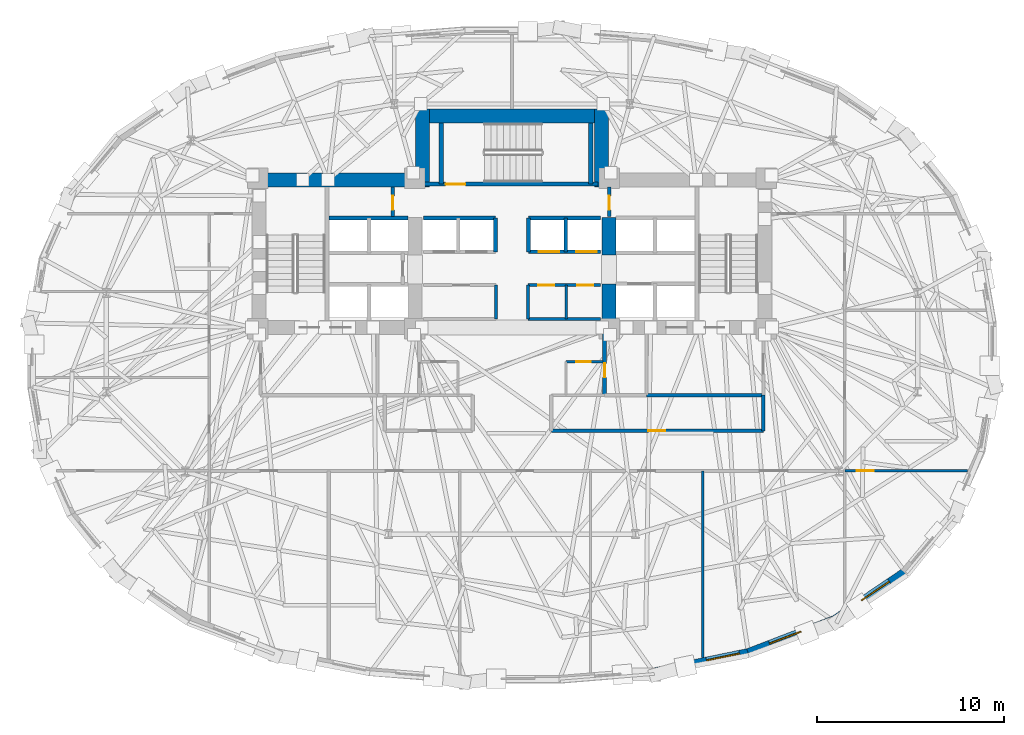
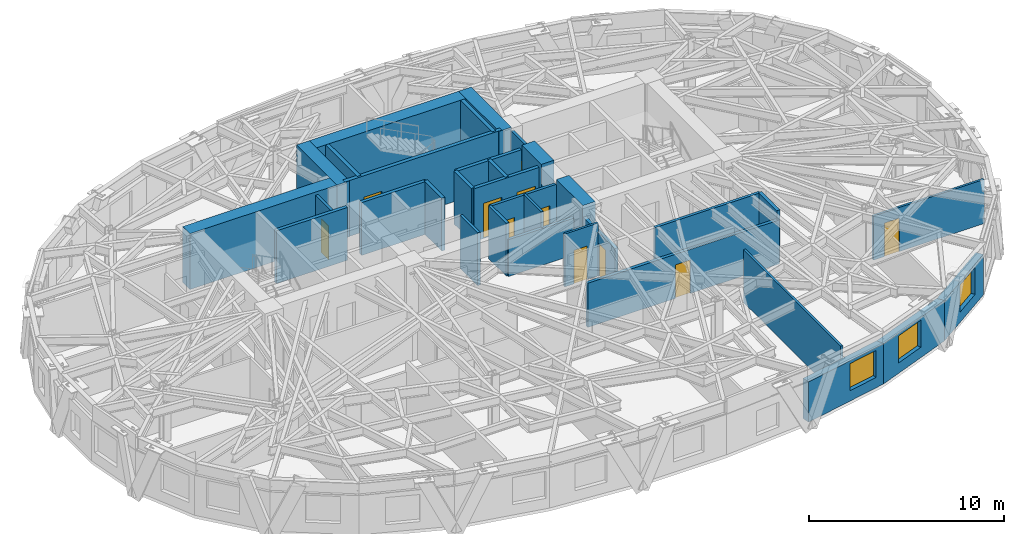
# One storey, part 8 of 14: 33 walls, 11 doors, 3 windows, 14 openings.
"""IFC4 building model written with IfcOpenShell, lengths in metres."""

import ifcopenshell
import ifcopenshell.guid

model = None  # the IFC model being written
_history = None  # IfcOwnerHistory: only IFC2X3 demands one
_inside = {}  # id of a spatial element -> (the spatial element, [elements in it])
_under = {}  # id of a project, library or spatial element -> (it, [spatial elements below it])
_declared = {}  # id of a project -> (the project, [libraries it declares])
_typed = {}  # id of a type object -> (the type object, [elements of that type])
_made_of = {}  # id of a material, layer set ... -> (it, [elements and type objects made of it])


def new_model(schema):
    """Start an empty IFC model of exactly this schema.

    Asked for "IFC4X3", IfcOpenShell would pick the latest addendum, in which some entities
    have other attributes; the version numbers below select the first issue.
    IFC2X3 requires an IfcOwnerHistory on every rooted entity: one is made here for all.
    """
    global model, _history
    if schema == "IFC4X3":
        model = ifcopenshell.file(schema_version=(4, 3, 0, 0))
    else:
        model = ifcopenshell.file(schema=schema)
    _inside.clear()
    _under.clear()
    _declared.clear()
    _typed.clear()
    _made_of.clear()
    _history = None
    if model.schema == "IFC2X3":
        org = make("IfcOrganization", Name="unknown")
        user = make(
            "IfcPersonAndOrganization",
            ThePerson=make("IfcPerson", FamilyName="unknown"),
            TheOrganization=org,
        )
        app = make(
            "IfcApplication",
            ApplicationDeveloper=org,
            Version="unknown",
            ApplicationFullName="unknown",
            ApplicationIdentifier="unknown",
        )
        _history = make(
            "IfcOwnerHistory",
            OwningUser=user,
            OwningApplication=app,
            ChangeAction="ADDED",
            CreationDate=0,
        )
    return model


def make(cls, **values):
    """One entity of the class cls with the attributes given. An attribute that is None is left unset."""
    return model.create_entity(
        cls, **{name: value for name, value in values.items() if value is not None}
    )


def rooted(cls, **values):
    """An entity with a GlobalId (a new one), such as an element, a storey or a relation."""
    return make(cls, GlobalId=ifcopenshell.guid.new(), OwnerHistory=_history, **values)


def si_unit(unit_type, name, prefix=None):
    """IfcSIUnit, for example si_unit("LENGTHUNIT", "METRE", prefix="MILLI")."""
    return make("IfcSIUnit", UnitType=unit_type, Prefix=prefix, Name=name)


def assignment(units):
    """IfcUnitAssignment: the units of a project."""
    return None if units is None else make("IfcUnitAssignment", Units=units)


def point(xyz):
    """IfcCartesianPoint."""
    return None if xyz is None else make("IfcCartesianPoint", Coordinates=xyz)


def direction(xyz):
    """IfcDirection."""
    return None if xyz is None else make("IfcDirection", DirectionRatios=xyz)


def frame(location, z_axis=None, x_axis=None):
    """IfcAxis2Placement3D, a coordinate frame: its origin and axes. An axis left out is left unset."""
    return make(
        "IfcAxis2Placement3D",
        Location=point(location),
        Axis=direction(z_axis),
        RefDirection=direction(x_axis),
    )


def frame_2d(location, x_axis=None):
    """IfcAxis2Placement2D, a coordinate frame in the plane: its origin and x axis."""
    return make(
        "IfcAxis2Placement2D", Location=point(location), RefDirection=direction(x_axis)
    )


def origin():
    """The frame at (0, 0, 0) with its axes left unset."""
    return frame((0.0, 0.0, 0.0))


def place(relative_to, where):
    """IfcLocalPlacement: puts the frame where relative to a parent placement (None: the world)."""
    return make(
        "IfcLocalPlacement", PlacementRelTo=relative_to, RelativePlacement=where
    )


def context(
    kind, dimensions, precision=None, world=None, true_north=None, identifier=None
):
    """IfcGeometricRepresentationContext, for example the 3D "Model" context."""
    return make(
        "IfcGeometricRepresentationContext",
        ContextIdentifier=identifier,
        ContextType=kind,
        CoordinateSpaceDimension=dimensions,
        Precision=precision,
        WorldCoordinateSystem=world,
        TrueNorth=true_north,
    )


def subcontext(parent, identifier, kind, view, scale=None):
    """IfcGeometricRepresentationSubContext, for example "Body" below "Model"."""
    return make(
        "IfcGeometricRepresentationSubContext",
        ContextIdentifier=identifier,
        ContextType=kind,
        ParentContext=parent,
        TargetScale=scale,
        TargetView=view,
    )


def project(units=None, contexts=None):
    """IfcProject with its units and contexts."""
    return rooted(
        "IfcProject",
        Name="project",
        RepresentationContexts=contexts,
        UnitsInContext=assignment(units),
    )


def spatial(cls, under=None, at=None, **own):
    """A site, building, storey or space (cls), placed at a placement, below another one or the project."""
    s = rooted(cls, ObjectPlacement=at, **own)
    if under is not None:
        _under.setdefault(under.id(), (under, []))[1].append(s)
    return s


def profile(cls, at=None, kind="AREA", **sizes):
    """A parametric profile (cls). Its sizes go by their IFC names, for example OverallWidth=200.0."""
    return make(cls, ProfileType=kind, Position=at, **sizes)


def rectangle(**sizes):
    """IfcRectangleProfileDef."""
    return profile("IfcRectangleProfileDef", **sizes)


def extrude(swept, where, along, depth):
    """IfcExtrudedAreaSolid: the profile swept, set in the frame where, extruded along a direction by depth."""
    return make(
        "IfcExtrudedAreaSolid",
        SweptArea=swept,
        Position=where,
        ExtrudedDirection=direction(along),
        Depth=depth,
    )


def shape(context_of_items, identifier, shape_type, items):
    """IfcShapeRepresentation: the items that make up one representation, for example the "Body"."""
    return make(
        "IfcShapeRepresentation",
        ContextOfItems=context_of_items,
        RepresentationIdentifier=identifier,
        RepresentationType=shape_type,
        Items=items,
    )


def material(Name=None, Category=None):
    """IfcMaterial."""
    return make("IfcMaterial", Name=Name, Category=Category)


def layer(
    of_material, thickness, ventilated=None, Name=None, Category=None, Priority=None
):
    """IfcMaterialLayer: one layer of a wall or slab, of a material (None: an air gap)."""
    return make(
        "IfcMaterialLayer",
        Material=of_material,
        LayerThickness=thickness,
        IsVentilated=ventilated,
        Name=Name,
        Category=Category,
        Priority=Priority,
    )


def layer_set(layers, Name=None):
    """IfcMaterialLayerSet."""
    return make("IfcMaterialLayerSet", MaterialLayers=layers, LayerSetName=Name)


def made_of(thing, what):
    """Note that an element or type object is made of a material, layer set ...; save() writes the relation."""
    if what is not None:
        _made_of.setdefault(what.id(), (what, []))[1].append(thing)
    return thing


def type_object(cls, material=None, **own):
    """A type object (cls), such as IfcWallType, which elements share."""
    return made_of(rooted(cls, **own), material)


def element(
    cls,
    number,
    at=None,
    inside=None,
    cuts=None,
    type_object=None,
    material=None,
    context=None,
    identifier="Body",
    shape_type=None,
    held_by="IfcProductDefinitionShape",
    body=None,
    shapes=None,
    **own,
):
    """One element of the class cls, such as IfcWall. Its Tag is "e" and its number.

    at: its placement. inside: the storey or other place that contains it. cuts: it is an
    opening in that element (IfcRelVoidsElement). A single representation is given by context,
    identifier, shape_type and body (its items); several are given by shapes. held_by: the class
    of the entity that holds the representations. save() writes the other relations.
    """
    e = rooted(cls, Tag="e%d" % number, ObjectPlacement=at, **own)
    if body is not None:
        shapes = [shape(context, identifier, shape_type, body)]
    if shapes is not None:
        e.Representation = make(held_by, Representations=shapes)
    if inside is not None:
        _inside.setdefault(inside.id(), (inside, []))[1].append(e)
    if cuts is not None:
        rooted(
            "IfcRelVoidsElement", RelatingBuildingElement=cuts, RelatedOpeningElement=e
        )
    if type_object is not None:
        _typed.setdefault(type_object.id(), (type_object, []))[1].append(e)
    return made_of(e, material)


def fill(opening, filler):
    """IfcRelFillsElement: the door or window that sits in an opening."""
    return rooted(
        "IfcRelFillsElement",
        RelatingOpeningElement=opening,
        RelatedBuildingElement=filler,
    )


def aggregate(whole, parts):
    """IfcRelAggregates: a whole, such as a stair, and the parts it consists of."""
    return rooted("IfcRelAggregates", RelatingObject=whole, RelatedObjects=parts)


def save(model, path):
    """Write the relations noted so far, then the file.

    IfcRelAggregates (storeys below a building ...), IfcRelContainedInSpatialStructure (elements
    in a storey), IfcRelDefinesByType, IfcRelAssociatesMaterial and IfcRelDeclares: one each for
    every whole, place, type object, material and project.
    """
    for whole, parts in _under.values():
        aggregate(whole, parts)
    for where, things in _inside.values():
        rooted(
            "IfcRelContainedInSpatialStructure",
            RelatedElements=things,
            RelatingStructure=where,
        )
    for kind, things in _typed.values():
        rooted("IfcRelDefinesByType", RelatedObjects=things, RelatingType=kind)
    for what, things in _made_of.values():
        rooted("IfcRelAssociatesMaterial", RelatedObjects=things, RelatingMaterial=what)
    for by, libraries in _declared.values():
        rooted("IfcRelDeclares", RelatingContext=by, RelatedDefinitions=libraries)
    model.write(path)


model = new_model("IFC4")

# Units and contexts
model_context = context("Model", 3, precision=1e-05, world=origin(), true_north=direction((0.0, 1.0)))
body_context = subcontext(model_context, "Body", "Model", "MODEL_VIEW")
ifc_project = project(units=[si_unit("LENGTHUNIT", "METRE"), si_unit("AREAUNIT", "SQUARE_METRE"), si_unit("VOLUMEUNIT", "CUBIC_METRE"), si_unit("PLANEANGLEUNIT", "RADIAN"), si_unit("MASSUNIT", "GRAM", prefix="KILO")], contexts=[model_context])

# Site, building, storey
site_placement = place(None, origin())
site = spatial("IfcSite", under=ifc_project, at=site_placement, CompositionType="ELEMENT")
building_placement = place(site_placement, origin())
building = spatial("IfcBuilding", under=site, at=building_placement, Name="Keldmark Tower", CompositionType="ELEMENT")
storey_placement = place(building_placement, frame((0.0, 0.0, 124.60009765625)))
storey = spatial("IfcBuildingStorey", under=building, at=storey_placement, Name="L33", CompositionType="ELEMENT", Elevation=124.60009765625)

# Wall, opening, door
ifc_material_1 = material(Name="Heavy Acoustic Plumbing Chase Gypsum Assembly", Category="gypsum")
ifc_layer_1 = layer(ifc_material_1, 0.18994140625)
ifc_layer_set_1 = layer_set([ifc_layer_1], Name="Heavy Acoustic Plumbing Chase Gypsum Assembly")
wall_type_1 = type_object("IfcWallType", Name="Heavy Wet Wall 190 mm", PredefinedType="PLUMBINGWALL", material=ifc_layer_set_1)
wall_1_placement = place(storey_placement, frame((2.10009765625, -4.050048828125, 0.0), z_axis=(0.0, 0.0, 1.0), x_axis=(1.0, 0.0, 0.0)))
wall_1 = element("IfcWall", 1, at=wall_1_placement, inside=storey, type_object=wall_type_1, Name="L33 Heavy Wet Wall 190 mm SPK-E-S", PredefinedType="PLUMBINGWALL", context=body_context, shape_type="SweptSolid", body=[
    extrude(rectangle(XDim=11.349853515625, YDim=0.18994140625, at=frame_2d((5.6748046875, 0.0))), origin(), (0.0, 0.0, 1.0), 2.762939453125),
])
opening_1_placement = place(wall_1_placement, frame((5.199951171875, 0.0, 0.0)))
opening_1 = element("IfcOpeningElement", 2, at=opening_1_placement, cuts=wall_1, Name="Opening D-IN090", PredefinedType="OPENING", context=body_context, shape_type="SweptSolid", body=[
    extrude(rectangle(XDim=0.89990234375, YDim=2.10009765625, at=frame_2d((0.449951171875, 1.050048828125))), frame((0.0, 0.10498046875, 0.0), z_axis=(0.0, -1.0, 0.0), x_axis=(1.0, 0.0, 0.0)), (0.0, 0.0, 1.0), 0.2099609375),
])
ifc_material_2 = material(Name="Stained American White Oak Veneer", Category="wood")
door_type_1 = type_object("IfcDoorType", Name="Interior Door 900x2100", OperationType="NOTDEFINED", PredefinedType="DOOR", material=ifc_material_2)
door_1_placement = place(opening_1_placement, origin())
door_1 = element("IfcDoor", 3, at=door_1_placement, inside=storey, type_object=door_type_1, Name="L33 Interior Door 900x2100 D-SPKE1-L33", OperationType="SINGLE_SWING_RIGHT", OverallHeight=2.10009765625, OverallWidth=0.89990234375, PredefinedType="DOOR", context=body_context, shape_type="SweptSolid", body=[
    extrude(rectangle(XDim=0.89990234375, YDim=2.10009765625, at=frame_2d((0.449951171875, 1.050048828125))), frame((0.0, 0.02490234375, 0.0), z_axis=(0.0, -1.0, 0.0), x_axis=(1.0, 0.0, 0.0)), (0.0, 0.0, 1.0), 0.050048828125),
])
fill(opening_1, door_1)

# Wall
wall_2_placement = place(storey_placement, frame((13.449951171875, -4.050048828125, 0.0), z_axis=(0.0, 0.0, 1.0), x_axis=(0.0, 1.0, 0.0)))
element("IfcWall", 4, at=wall_2_placement, inside=storey, type_object=wall_type_1, Name="L33 Heavy Wet Wall 190 mm SPK-E-E", PredefinedType="PLUMBINGWALL", context=body_context, shape_type="SweptSolid", body=[
    extrude(rectangle(XDim=1.900146484375, YDim=0.18994140625, at=frame_2d((0.9501953125, 0.0))), origin(), (0.0, 0.0, 1.0), 3.309814453125),
])

# Wall, opening, door
ifc_material_3 = material(Name="Acoustic Gypsum Board Interior Partition", Category="gypsum")
ifc_layer_2 = layer(ifc_material_3, 0.1298828125)
ifc_layer_set_2 = layer_set([ifc_layer_2], Name="Acoustic Gypsum Board Interior Partition")
wall_type_2 = type_object("IfcWallType", Name="Interior Partition 130 mm", PredefinedType="PARTITIONING", material=ifc_layer_set_2)
wall_3_placement = place(storey_placement, frame((2.889892578125, -0.35009765625, 0.0), z_axis=(0.0, 0.0, 1.0), x_axis=(1.0, 0.0, 0.0)))
wall_3 = element("IfcWall", 5, at=wall_3_placement, inside=storey, type_object=wall_type_2, Name="L33 Interior Partition 130 mm CSC-E-N", PredefinedType="PARTITIONING", context=body_context, shape_type="SweptSolid", body=[
    extrude(rectangle(XDim=1.989990234375, YDim=0.1298828125, at=frame_2d((0.9951171875, 0.0))), origin(), (0.0, 0.0, 1.0), 3.309814453125),
])
opening_2_placement = place(wall_3_placement, frame((0.550048828125, 0.0, 0.0)))
opening_2 = element("IfcOpeningElement", 6, at=opening_2_placement, cuts=wall_3, Name="Opening D-CL078", PredefinedType="OPENING", context=body_context, shape_type="SweptSolid", body=[
    extrude(rectangle(XDim=0.780029296875, YDim=2.10009765625, at=frame_2d((0.39013671875, 1.050048828125))), frame((0.0, 0.074951171875, 0.0), z_axis=(0.0, -1.0, 0.0), x_axis=(1.0, 0.0, 0.0)), (0.0, 0.0, 1.0), 0.14990234375),
])
ifc_material_4 = material(Name="Flush Utility Closet Timber Door", Category="wood")
door_type_2 = type_object("IfcDoorType", Name="Closet Door 780x2100", OperationType="NOTDEFINED", PredefinedType="DOOR", material=ifc_material_4)
door_2_placement = place(opening_2_placement, origin())
door_2 = element("IfcDoor", 7, at=door_2_placement, inside=storey, type_object=door_type_2, Name="L33 Closet Door 780x2100 D-CSCE1-L33", OperationType="SINGLE_SWING_RIGHT", OverallHeight=2.10009765625, OverallWidth=0.780029296875, PredefinedType="DOOR", context=body_context, shape_type="SweptSolid", body=[
    extrude(rectangle(XDim=0.780029296875, YDim=2.10009765625, at=frame_2d((0.39013671875, 1.050048828125))), frame((0.0, 0.02490234375, 0.0), z_axis=(0.0, -1.0, 0.0), x_axis=(1.0, 0.0, 0.0)), (0.0, 0.0, 1.0), 0.050048828125),
])
fill(opening_2, door_2)

# Walls
wall_4_placement = place(storey_placement, frame((2.89990234375, 1.919921875, 0.0), z_axis=(0.0, 0.0, 1.0), x_axis=(0.0, 1.0, 0.0)))
element("IfcWall", 8, at=wall_4_placement, inside=storey, type_object=wall_type_2, Name="L33 Interior Partition 130 mm REC-LE-M", PredefinedType="PARTITIONING", context=body_context, shape_type="SweptSolid", body=[
    extrude(rectangle(XDim=1.820068359375, YDim=0.1298828125, at=frame_2d((0.91015625, 0.0))), origin(), (0.0, 0.0, 1.0), 3.309814453125),
])
wall_5_placement = place(storey_placement, frame((10.199951171875, -16.18359375, 0.0), z_axis=(0.0, 0.0, 1.0), x_axis=(0.0, 1.0, 0.0)))
element("IfcWall", 9, at=wall_5_placement, inside=storey, type_object=wall_type_2, Name="L33 Interior Partition 130 mm S-DIV-4", PredefinedType="PARTITIONING", context=body_context, shape_type="SweptSolid", body=[
    extrude(rectangle(XDim=9.983642578125, YDim=0.1298828125, at=frame_2d((4.99169921875, 0.0))), origin(), (0.0, 0.0, 1.0), 3.309814453125),
])

# Wall, opening, door
wall_6_placement = place(storey_placement, frame((17.800048828125, -6.199951171875, 0.0), z_axis=(0.0, 0.0, 1.0), x_axis=(1.0, 0.0, 0.0)))
wall_6 = element("IfcWall", 10, at=wall_6_placement, inside=storey, type_object=wall_type_2, Name="L33 Interior Partition 130 mm E-CAP-S", PredefinedType="PARTITIONING", context=body_context, shape_type="SweptSolid", body=[
    extrude(rectangle(XDim=6.574951171875, YDim=0.1298828125, at=frame_2d((3.28759765625, 0.0))), origin(), (0.0, 0.0, 1.0), 2.762939453125),
])
opening_3_placement = place(wall_6_placement, frame((0.64990234375, 0.0, 0.0)))
opening_3 = element("IfcOpeningElement", 11, at=opening_3_placement, cuts=wall_6, Name="Opening D-IN090", PredefinedType="OPENING", context=body_context, shape_type="SweptSolid", body=[
    extrude(rectangle(XDim=0.89990234375, YDim=2.10009765625, at=frame_2d((0.449951171875, 1.050048828125))), frame((0.0, 0.074951171875, 0.0), z_axis=(0.0, -1.0, 0.0), x_axis=(1.0, 0.0, 0.0)), (0.0, 0.0, 1.0), 0.14990234375),
])
door_3_placement = place(opening_3_placement, origin())
door_3 = element("IfcDoor", 12, at=door_3_placement, inside=storey, type_object=door_type_1, Name="L33 Interior Door 900x2100 D-ERSE-L33", OperationType="SINGLE_SWING_RIGHT", OverallHeight=2.10009765625, OverallWidth=0.89990234375, PredefinedType="DOOR", context=body_context, shape_type="SweptSolid", body=[
    extrude(rectangle(XDim=0.89990234375, YDim=2.10009765625, at=frame_2d((0.449951171875, 1.050048828125))), frame((0.0, 0.02490234375, 0.0), z_axis=(0.0, -1.0, 0.0), x_axis=(1.0, 0.0, 0.0)), (0.0, 0.0, 1.0), 0.050048828125),
])
fill(opening_3, door_3)

# Walls
ifc_material_5 = material(Name="Concrete C70/85", Category="concrete")
ifc_layer_3 = layer(ifc_material_5, 0.75)
ifc_layer_set_3 = layer_set([ifc_layer_3], Name="Concrete C70/85")
wall_type_3 = type_object("IfcWallType", Name="Low-Mid Core Shear Wall 750 mm", PredefinedType="SHEAR", material=ifc_layer_set_3)
wall_7_placement = place(storey_placement, frame((-13.89990234375, 9.375, 0.0), z_axis=(0.0, 0.0, 1.0), x_axis=(1.0, 0.0, 0.0)))
element("IfcWall", 13, at=wall_7_placement, inside=storey, type_object=wall_type_3, Name="L33 West Core North Shear Wall", PredefinedType="SHEAR", context=body_context, shape_type="SweptSolid", body=[
    extrude(rectangle(XDim=9.474853515625, YDim=0.75, at=frame_2d((4.7373046875, 0.0))), origin(), (0.0, 0.0, 1.0), 3.5),
])
wall_8_placement = place(storey_placement, frame((5.199951171875, 1.10009765625, 0.0), z_axis=(0.0, 0.0, 1.0), x_axis=(0.0, 1.0, 0.0)))
element("IfcWall", 14, at=wall_8_placement, inside=storey, type_object=wall_type_3, Name="L33 East Core Inner Shear Pier South", PredefinedType="SHEAR", context=body_context, shape_type="SweptSolid", body=[
    extrude(rectangle(XDim=2.699951171875, YDim=0.75, at=frame_2d((1.35009765625, 0.0))), origin(), (0.0, 0.0, 1.0), 3.5),
])
wall_9_placement = place(storey_placement, frame((5.199951171875, 5.35009765625, 0.0), z_axis=(0.0, 0.0, 1.0), x_axis=(0.0, 1.0, 0.0)))
element("IfcWall", 15, at=wall_9_placement, inside=storey, type_object=wall_type_3, Name="L33 East Core Inner Shear Pier North", PredefinedType="SHEAR", context=body_context, shape_type="SweptSolid", body=[
    extrude(rectangle(XDim=2.0, YDim=0.75, at=frame_2d((1.0, 0.0))), origin(), (0.0, 0.0, 1.0), 3.5),
])
wall_10_placement = place(storey_placement, frame((-5.175048828125, 12.77490234375, 0.0), z_axis=(0.0, 0.0, 1.0), x_axis=(1.0, 0.0, 0.0)))
element("IfcWall", 16, at=wall_10_placement, inside=storey, type_object=wall_type_3, Name="L33 North Core Shear Wall", PredefinedType="SHEAR", context=body_context, shape_type="SweptSolid", body=[
    extrude(rectangle(XDim=10.35009765625, YDim=0.75, at=frame_2d((5.175048828125, 0.0))), origin(), (0.0, 0.0, 1.0), 3.5),
])
for number, where, z_axis, x_axis, name in (
    (17, (-4.800048828125, 9.0, 0.0), (0.0, 0.0, 1.0), (0.0, 1.0, 0.0), "L33 North Core West Shear Wall"),
    (18, (4.800048828125, 9.0, 0.0), (0.0, 0.0, 1.0), (0.0, 1.0, 0.0), "L33 North Core East Shear Wall"),
):
    element("IfcWall", number, at=place(storey_placement, frame(where, z_axis=z_axis, x_axis=x_axis)), inside=storey, type_object=wall_type_3, Name=name, PredefinedType="SHEAR", context=body_context, shape_type="SweptSolid", body=[
        extrude(rectangle(XDim=4.14990234375, YDim=0.75, at=frame_2d((2.074951171875, 0.0))), origin(), (0.0, 0.0, 1.0), 3.5),
    ])
ifc_material_6 = material(Name="Type X Fire-Rated Gypsum Partition Assembly", Category="gypsum")
ifc_layer_4 = layer(ifc_material_6, 0.1650390625)
ifc_layer_set_4 = layer_set([ifc_layer_4], Name="Type X Fire-Rated Gypsum Partition Assembly")
wall_type_4 = type_object("IfcWallType", Name="Rated Partition 165 mm", PredefinedType="PARTITIONING", material=ifc_layer_set_4)
wall_11_placement = place(storey_placement, frame((7.199951171875, -2.14990234375, 0.0), z_axis=(0.0, 0.0, 1.0), x_axis=(1.0, 0.0, 0.0)))
element("IfcWall", 19, at=wall_11_placement, inside=storey, type_object=wall_type_4, Name="L33 Rated Partition 165 mm FSAE-E-S", PredefinedType="PARTITIONING", context=body_context, shape_type="SweptSolid", body=[
    extrude(rectangle(XDim=6.25, YDim=0.1650390625, at=frame_2d((3.125, 0.0))), origin(), (0.0, 0.0, 1.0), 3.309814453125),
])
wall_12_placement = place(storey_placement, frame((-0.85009765625, 1.919921875, 0.0), z_axis=(0.0, 0.0, 1.0), x_axis=(0.0, 1.0, 0.0)))
element("IfcWall", 20, at=wall_12_placement, inside=storey, type_object=wall_type_4, Name="L33 Rated Partition 165 mm REC-LW-E", PredefinedType="PARTITIONING", context=body_context, shape_type="SweptSolid", body=[
    extrude(rectangle(XDim=1.820068359375, YDim=0.1650390625, at=frame_2d((0.91015625, 0.0))), origin(), (0.0, 0.0, 1.0), 3.309814453125),
])
wall_13_placement = place(storey_placement, frame((0.85009765625, 1.919921875, 0.0), z_axis=(0.0, 0.0, 1.0), x_axis=(1.0, 0.0, 0.0)))
element("IfcWall", 21, at=wall_13_placement, inside=storey, type_object=wall_type_4, Name="L33 Rated Partition 165 mm REC-LE-S", PredefinedType="PARTITIONING", context=body_context, shape_type="SweptSolid", body=[
    extrude(rectangle(XDim=3.889892578125, YDim=0.1650390625, at=frame_2d((1.94482421875, 0.0))), origin(), (0.0, 0.0, 1.0), 2.2998046875),
])

# Wall, openings, doors
wall_14_placement = place(storey_placement, frame((0.85009765625, 3.739990234375, 0.0), z_axis=(0.0, 0.0, 1.0), x_axis=(1.0, 0.0, 0.0)))
wall_14 = element("IfcWall", 22, at=wall_14_placement, inside=storey, type_object=wall_type_4, Name="L33 Rated Partition 165 mm REC-LE-N", PredefinedType="PARTITIONING", context=body_context, shape_type="SweptSolid", body=[
    extrude(rectangle(XDim=3.889892578125, YDim=0.1650390625, at=frame_2d((1.94482421875, 0.0))), origin(), (0.0, 0.0, 1.0), 3.309814453125),
])
opening_4_placement = place(wall_14_placement, frame((0.550048828125, 0.0, 0.0)))
opening_4 = element("IfcOpeningElement", 23, at=opening_4_placement, cuts=wall_14, Name="Opening D-SV085", PredefinedType="OPENING", context=body_context, shape_type="SweptSolid", body=[
    extrude(rectangle(XDim=0.85009765625, YDim=2.10009765625, at=frame_2d((0.425048828125, 1.050048828125))), frame((0.0, 0.092529296875, 0.0), z_axis=(0.0, -1.0, 0.0), x_axis=(1.0, 0.0, 0.0)), (0.0, 0.0, 1.0), 0.18505859375),
])
opening_5_placement = place(wall_14_placement, frame((2.64990234375, 0.0, 0.0)))
opening_5 = element("IfcOpeningElement", 24, at=opening_5_placement, cuts=wall_14, Name="Opening D-SV085", PredefinedType="OPENING", context=body_context, shape_type="SweptSolid", body=[
    extrude(rectangle(XDim=0.85009765625, YDim=2.10009765625, at=frame_2d((0.425048828125, 1.050048828125))), frame((0.0, 0.092529296875, 0.0), z_axis=(0.0, -1.0, 0.0), x_axis=(1.0, 0.0, 0.0)), (0.0, 0.0, 1.0), 0.18505859375),
])
ifc_material_7 = material(Name="Painted Hollow Metal Door Assembly", Category="metal")
door_type_3 = type_object("IfcDoorType", Name="Service Door 850x2100", OperationType="NOTDEFINED", PredefinedType="DOOR", material=ifc_material_7)
door_4_placement = place(opening_4_placement, origin())
door_4 = element("IfcDoor", 25, at=door_4_placement, inside=storey, type_object=door_type_3, Name="L33 Service Door 850x2100 D-RECLE1-L33", OperationType="SINGLE_SWING_LEFT", OverallHeight=2.10009765625, OverallWidth=0.85009765625, PredefinedType="DOOR", context=body_context, shape_type="SweptSolid", body=[
    extrude(rectangle(XDim=0.85009765625, YDim=2.10009765625, at=frame_2d((0.425048828125, 1.050048828125))), frame((0.0, 0.02490234375, 0.0), z_axis=(0.0, -1.0, 0.0), x_axis=(1.0, 0.0, 0.0)), (0.0, 0.0, 1.0), 0.050048828125),
])
fill(opening_4, door_4)
door_5_placement = place(opening_5_placement, origin())
door_5 = element("IfcDoor", 26, at=door_5_placement, inside=storey, type_object=door_type_3, Name="L33 Service Door 850x2100 D-RECLE2-L33", OperationType="SINGLE_SWING_RIGHT", OverallHeight=2.10009765625, OverallWidth=0.85009765625, PredefinedType="DOOR", context=body_context, shape_type="SweptSolid", body=[
    extrude(rectangle(XDim=0.85009765625, YDim=2.10009765625, at=frame_2d((0.425048828125, 1.050048828125))), frame((0.0, 0.02490234375, 0.0), z_axis=(0.0, -1.0, 0.0), x_axis=(1.0, 0.0, 0.0)), (0.0, 0.0, 1.0), 0.050048828125),
])
fill(opening_5, door_5)

# Wall
wall_15_placement = place(storey_placement, frame((0.85009765625, 1.919921875, 0.0), z_axis=(0.0, 0.0, 1.0), x_axis=(0.0, 1.0, 0.0)))
element("IfcWall", 27, at=wall_15_placement, inside=storey, type_object=wall_type_4, Name="L33 Rated Partition 165 mm REC-LE-W", PredefinedType="PARTITIONING", context=body_context, shape_type="SweptSolid", body=[
    extrude(rectangle(XDim=1.820068359375, YDim=0.1650390625, at=frame_2d((0.91015625, 0.0))), origin(), (0.0, 0.0, 1.0), 3.309814453125),
])

# Wall, opening, door
wall_16_placement = place(storey_placement, frame((-6.3798828125, 7.419921875, 0.0), z_axis=(0.0, 0.0, 1.0), x_axis=(0.0, 1.0, 0.0)))
wall_16 = element("IfcWall", 28, at=wall_16_placement, inside=storey, type_object=wall_type_4, Name="L33 Rated Partition 165 mm CS-NW-E", PredefinedType="PARTITIONING", context=body_context, shape_type="SweptSolid", body=[
    extrude(rectangle(XDim=1.580078125, YDim=0.1650390625, at=frame_2d((0.7900390625, 0.0))), origin(), (0.0, 0.0, 1.0), 3.309814453125),
])
opening_6_placement = place(wall_16_placement, frame((0.35009765625, 0.0, 0.0)))
opening_6 = element("IfcOpeningElement", 29, at=opening_6_placement, cuts=wall_16, Name="Opening D-RS075", PredefinedType="OPENING", context=body_context, shape_type="SweptSolid", body=[
    extrude(rectangle(XDim=0.75, YDim=2.10009765625, at=frame_2d((0.375, 1.050048828125))), frame((0.0, 0.092529296875, 0.0), z_axis=(0.0, -1.0, 0.0), x_axis=(1.0, 0.0, 0.0)), (0.0, 0.0, 1.0), 0.18505859375),
])
ifc_material_8 = material(Name="Galvanized Fire-Rated Access Leaf", Category="metal")
door_type_4 = type_object("IfcDoorType", Name="Riser Access Door 750x2100", OperationType="NOTDEFINED", PredefinedType="DOOR", material=ifc_material_8)
door_6_placement = place(opening_6_placement, origin())
door_6 = element("IfcDoor", 30, at=door_6_placement, inside=storey, type_object=door_type_4, Name="L33 Riser Access Door 750x2100 D-CSNW1-L33", OperationType="SINGLE_SWING_RIGHT", OverallHeight=2.10009765625, OverallWidth=0.75, PredefinedType="DOOR", context=body_context, shape_type="SweptSolid", body=[
    extrude(rectangle(XDim=0.75, YDim=2.10009765625, at=frame_2d((0.375, 1.050048828125))), frame((0.0, 0.02490234375, 0.0), z_axis=(0.0, -1.0, 0.0), x_axis=(1.0, 0.0, 0.0)), (0.0, 0.0, 1.0), 0.050048828125),
])
fill(opening_6, door_6)

wall_17_placement = place(storey_placement, frame((5.199951171875, 7.419921875, 0.0), z_axis=(0.0, 0.0, 1.0), x_axis=(0.0, 1.0, 0.0)))
wall_17 = element("IfcWall", 31, at=wall_17_placement, inside=storey, type_object=wall_type_4, Name="L33 Rated Partition 165 mm CS-NE-W", PredefinedType="PARTITIONING", context=body_context, shape_type="SweptSolid", body=[
    extrude(rectangle(XDim=1.580078125, YDim=0.1650390625, at=frame_2d((0.7900390625, 0.0))), origin(), (0.0, 0.0, 1.0), 3.309814453125),
])
opening_7_placement = place(wall_17_placement, frame((0.35009765625, 0.0, 0.0)))
opening_7 = element("IfcOpeningElement", 32, at=opening_7_placement, cuts=wall_17, Name="Opening D-RS075", PredefinedType="OPENING", context=body_context, shape_type="SweptSolid", body=[
    extrude(rectangle(XDim=0.75, YDim=2.10009765625, at=frame_2d((0.375, 1.050048828125))), frame((0.0, 0.092529296875, 0.0), z_axis=(0.0, -1.0, 0.0), x_axis=(1.0, 0.0, 0.0)), (0.0, 0.0, 1.0), 0.18505859375),
])
door_7_placement = place(opening_7_placement, origin())
door_7 = element("IfcDoor", 33, at=door_7_placement, inside=storey, type_object=door_type_4, Name="L33 Riser Access Door 750x2100 D-CSNE1-L33", OperationType="SINGLE_SWING_LEFT", OverallHeight=2.10009765625, OverallWidth=0.75, PredefinedType="DOOR", context=body_context, shape_type="SweptSolid", body=[
    extrude(rectangle(XDim=0.75, YDim=2.10009765625, at=frame_2d((0.375, 1.050048828125))), frame((0.0, 0.02490234375, 0.0), z_axis=(0.0, -1.0, 0.0), x_axis=(1.0, 0.0, 0.0)), (0.0, 0.0, 1.0), 0.050048828125),
])
fill(opening_7, door_7)

ifc_material_9 = material(Name="Fire-Resistant Type X Gypsum Shaftliner Coreboard", Category="gypsum")
ifc_layer_5 = layer(ifc_material_9, 0.199951171875)
ifc_layer_set_5 = layer_set([ifc_layer_5], Name="Fire-Resistant Type X Gypsum Shaftliner Coreboard")
wall_type_5 = type_object("IfcWallType", Name="Shaft Wall 200 mm", PredefinedType="SOLIDWALL", material=ifc_layer_set_5)
wall_18_placement = place(storey_placement, frame((4.949951171875, -2.14990234375, 0.0), z_axis=(0.0, 0.0, 1.0), x_axis=(0.0, 1.0, 0.0)))
wall_18 = element("IfcWall", 34, at=wall_18_placement, inside=storey, type_object=wall_type_5, Name="L33 Shaft Wall 200 mm RIS-SE-W", PredefinedType="SOLIDWALL", context=body_context, shape_type="SweptSolid", body=[
    extrude(rectangle(XDim=3.2998046875, YDim=0.199951171875, at=frame_2d((1.64990234375, 0.0))), origin(), (0.0, 0.0, 1.0), 2.762939453125),
])
opening_8_placement = place(wall_18_placement, frame((0.949951171875, 0.0, 0.0)))
opening_8 = element("IfcOpeningElement", 35, at=opening_8_placement, cuts=wall_18, Name="Opening D-RS075", PredefinedType="OPENING", context=body_context, shape_type="SweptSolid", body=[
    extrude(rectangle(XDim=0.75, YDim=2.10009765625, at=frame_2d((0.375, 1.050048828125))), frame((0.0, 0.10986328125, 0.0), z_axis=(0.0, -1.0, 0.0), x_axis=(1.0, 0.0, 0.0)), (0.0, 0.0, 1.0), 0.219970703125),
])
door_8_placement = place(opening_8_placement, origin())
door_8 = element("IfcDoor", 36, at=door_8_placement, inside=storey, type_object=door_type_4, Name="L33 Riser Access Door 750x2100 D-RISSE-L33", OperationType="SINGLE_SWING_LEFT", OverallHeight=2.10009765625, OverallWidth=0.75, PredefinedType="DOOR", context=body_context, shape_type="SweptSolid", body=[
    extrude(rectangle(XDim=0.75, YDim=2.10009765625, at=frame_2d((0.375, 1.050048828125))), frame((0.0, 0.02490234375, 0.0), z_axis=(0.0, -1.0, 0.0), x_axis=(1.0, 0.0, 0.0)), (0.0, 0.0, 1.0), 0.050048828125),
])
fill(opening_8, door_8)

# Wall
wall_19_placement = place(storey_placement, frame((-9.780029296875, 7.330078125, 0.0), z_axis=(0.0, 0.0, 1.0), x_axis=(1.0, 0.0, 0.0)))
element("IfcWall", 37, at=wall_19_placement, inside=storey, type_object=wall_type_5, Name="L33 Shaft Wall 200 mm HW-W-TOP", PredefinedType="SOLIDWALL", context=body_context, shape_type="SweptSolid", body=[
    extrude(rectangle(XDim=4.205078125, YDim=0.199951171875, at=frame_2d((2.1025390625, 0.0))), origin(), (0.0, 0.0, 1.0), 3.309814453125),
])

# Wall, openings, doors
wall_20_placement = place(storey_placement, frame((0.8798828125, 5.52001953125, 0.0), z_axis=(0.0, 0.0, 1.0), x_axis=(1.0, 0.0, 0.0)))
wall_20 = element("IfcWall", 38, at=wall_20_placement, inside=storey, type_object=wall_type_5, Name="L33 Shaft Wall 200 mm MID-S-E", PredefinedType="SOLIDWALL", context=body_context, shape_type="SweptSolid", body=[
    extrude(rectangle(XDim=3.860107421875, YDim=0.199951171875, at=frame_2d((1.93017578125, 0.0))), origin(), (0.0, 0.0, 1.0), 3.309814453125),
])
opening_9_placement = place(wall_20_placement, frame((0.550048828125, 0.0, 0.0)))
opening_9 = element("IfcOpeningElement", 39, at=opening_9_placement, cuts=wall_20, Name="Opening LD-110", PredefinedType="OPENING", context=body_context, shape_type="SweptSolid", body=[
    extrude(rectangle(XDim=1.10009765625, YDim=2.199951171875, at=frame_2d((0.550048828125, 1.10009765625))), frame((0.0, 0.10986328125, 0.0), z_axis=(0.0, -1.0, 0.0), x_axis=(1.0, 0.0, 0.0)), (0.0, 0.0, 1.0), 0.219970703125),
])
opening_10_placement = place(wall_20_placement, frame((2.550048828125, 0.0, 0.0)))
opening_10 = element("IfcOpeningElement", 40, at=opening_10_placement, cuts=wall_20, Name="Opening LD-110", PredefinedType="OPENING", context=body_context, shape_type="SweptSolid", body=[
    extrude(rectangle(XDim=1.10009765625, YDim=2.199951171875, at=frame_2d((0.550048828125, 1.10009765625))), frame((0.0, 0.10986328125, 0.0), z_axis=(0.0, -1.0, 0.0), x_axis=(1.0, 0.0, 0.0)), (0.0, 0.0, 1.0), 0.219970703125),
])
ifc_material_10 = material(Name="Brushed Bronze Hoistway Sliding Leaf", Category="metal")
door_type_5 = type_object("IfcDoorType", Name="Lift Landing Sliding Door 1100x2200", OperationType="SLIDING_TO_LEFT", PredefinedType="DOOR", material=ifc_material_10)
door_9_placement = place(opening_9_placement, origin())
door_9 = element("IfcDoor", 41, at=door_9_placement, inside=storey, type_object=door_type_5, Name="L33 Lift Landing Sliding Door 1100x2200 LD-EL-M3-L33", OperationType="SLIDING_TO_LEFT", OverallHeight=2.199951171875, OverallWidth=1.10009765625, PredefinedType="DOOR", context=body_context, shape_type="SweptSolid", body=[
    extrude(rectangle(XDim=1.10009765625, YDim=2.199951171875, at=frame_2d((0.550048828125, 1.10009765625))), frame((0.0, 0.02490234375, 0.0), z_axis=(0.0, -1.0, 0.0), x_axis=(1.0, 0.0, 0.0)), (0.0, 0.0, 1.0), 0.050048828125),
])
fill(opening_9, door_9)
door_10_placement = place(opening_10_placement, origin())
door_10 = element("IfcDoor", 42, at=door_10_placement, inside=storey, type_object=door_type_5, Name="L33 Lift Landing Sliding Door 1100x2200 LD-EL-M4-L33", OperationType="SLIDING_TO_LEFT", OverallHeight=2.199951171875, OverallWidth=1.10009765625, PredefinedType="DOOR", context=body_context, shape_type="SweptSolid", body=[
    extrude(rectangle(XDim=1.10009765625, YDim=2.199951171875, at=frame_2d((0.550048828125, 1.10009765625))), frame((0.0, 0.02490234375, 0.0), z_axis=(0.0, -1.0, 0.0), x_axis=(1.0, 0.0, 0.0)), (0.0, 0.0, 1.0), 0.050048828125),
])
fill(opening_10, door_10)

# Walls
for number, where, z_axis, x_axis, name in (
    (43, (-4.739990234375, 7.330078125, 0.0), (0.0, 0.0, 1.0), (1.0, 0.0, 0.0), "L33 Shaft Wall 200 mm MID-N-W"),
    (44, (0.8798828125, 7.330078125, 0.0), (0.0, 0.0, 1.0), (1.0, 0.0, 0.0), "L33 Shaft Wall 200 mm MID-N-E"),
):
    element("IfcWall", number, at=place(storey_placement, frame(where, z_axis=z_axis, x_axis=x_axis)), inside=storey, type_object=wall_type_5, Name=name, PredefinedType="SOLIDWALL", context=body_context, shape_type="SweptSolid", body=[
        extrude(rectangle(XDim=3.860107421875, YDim=0.199951171875, at=frame_2d((1.93017578125, 0.0))), origin(), (0.0, 0.0, 1.0), 3.309814453125),
    ])
for number, where, z_axis, x_axis, name in (
    (45, (2.8798828125, 5.52001953125, 0.0), (0.0, 0.0, 1.0), (0.0, 1.0, 0.0), "L33 Shaft Wall 200 mm MID-M-E"),
    (46, (-0.8798828125, 5.52001953125, 0.0), (0.0, 0.0, 1.0), (0.0, 1.0, 0.0), "L33 Shaft Wall 200 mm MID-C-W"),
    (47, (0.8798828125, 5.52001953125, 0.0), (0.0, 0.0, 1.0), (0.0, 1.0, 0.0), "L33 Shaft Wall 200 mm MID-C-E"),
):
    element("IfcWall", number, at=place(storey_placement, frame(where, z_axis=z_axis, x_axis=x_axis)), inside=storey, type_object=wall_type_5, Name=name, PredefinedType="SOLIDWALL", context=body_context, shape_type="SweptSolid", body=[
        extrude(rectangle(XDim=1.81005859375, YDim=0.199951171875, at=frame_2d((0.905029296875, 0.0))), origin(), (0.0, 0.0, 1.0), 3.309814453125),
    ])

# Wall, opening, door
ifc_material_11 = material(Name="Concrete C50/60", Category="concrete")
ifc_layer_6 = layer(ifc_material_11, 0.219970703125)
ifc_layer_set_6 = layer_set([ifc_layer_6], Name="Concrete C50/60")
wall_type_6 = type_object("IfcWallType", Name="Stair Core Shear Wall 220 mm", PredefinedType="SHEAR", material=ifc_layer_set_6)
wall_21_placement = place(storey_placement, frame((-4.699951171875, 9.139892578125, 0.0), z_axis=(0.0, 0.0, 1.0), x_axis=(1.0, 0.0, 0.0)))
wall_21 = element("IfcWall", 48, at=wall_21_placement, inside=storey, type_object=wall_type_6, Name="L33 Central Stair Core South Shear Wall", PredefinedType="SHEAR", context=body_context, shape_type="SweptSolid", body=[
    extrude(rectangle(XDim=9.300048828125, YDim=0.219970703125, at=frame_2d((4.64990234375, 0.0))), origin(), (0.0, 0.0, 1.0), 3.5),
])
opening_11_placement = place(wall_21_placement, frame((1.14990234375, 0.0, 0.0)))
opening_11 = element("IfcOpeningElement", 49, at=opening_11_placement, cuts=wall_21, Name="Opening D-ST105", PredefinedType="OPENING", context=body_context, shape_type="SweptSolid", body=[
    extrude(rectangle(XDim=1.050048828125, YDim=2.14990234375, at=frame_2d((0.52490234375, 1.074951171875))), frame((0.0, 0.119873046875, 0.0), z_axis=(0.0, -1.0, 0.0), x_axis=(1.0, 0.0, 0.0)), (0.0, 0.0, 1.0), 0.239990234375),
])
ifc_material_12 = material(Name="Hollow Metal Fire-Rated Door Assembly", Category="metal")
door_type_6 = type_object("IfcDoorType", Name="Stair Fire Door 1050x2150", OperationType="NOTDEFINED", PredefinedType="DOOR", material=ifc_material_12)
door_11_placement = place(opening_11_placement, origin())
door_11 = element("IfcDoor", 50, at=door_11_placement, inside=storey, type_object=door_type_6, Name="L33 Stair Fire Door 1050x2150 D-ST3-L33", OperationType="SINGLE_SWING_RIGHT", OverallHeight=2.14990234375, OverallWidth=1.050048828125, PredefinedType="DOOR", context=body_context, shape_type="SweptSolid", body=[
    extrude(rectangle(XDim=1.050048828125, YDim=2.14990234375, at=frame_2d((0.52490234375, 1.074951171875))), frame((0.0, 0.02490234375, 0.0), z_axis=(0.0, -1.0, 0.0), x_axis=(1.0, 0.0, 0.0)), (0.0, 0.0, 1.0), 0.050048828125),
])
fill(opening_11, door_11)

# Walls
for number, where, z_axis, x_axis, name in (
    (51, (-3.784912109375, 9.139892578125, 0.0), (0.0, 0.0, 1.0), (0.0, 1.0, 0.0), "L33 Central Stair Core West Shear Wall"),
    (52, (4.215087890625, 9.139892578125, 0.0), (0.0, 0.0, 1.0), (0.0, 1.0, 0.0), "L33 Central Stair Core East Shear Wall"),
):
    element("IfcWall", number, at=place(storey_placement, frame(where, z_axis=z_axis, x_axis=x_axis)), inside=storey, type_object=wall_type_6, Name=name, PredefinedType="SHEAR", context=body_context, shape_type="SweptSolid", body=[
        extrude(rectangle(XDim=3.260009765625, YDim=0.219970703125, at=frame_2d((1.6298828125, 0.0))), origin(), (0.0, 0.0, 1.0), 3.5),
    ])

# Wall, opening, window
ifc_material_13 = material(Name="Ironspot Manganese Brick and Kasota Buff Limestone Spandrel Assembly", Category="masonry")
ifc_layer_7 = layer(ifc_material_13, 0.43994140625)
ifc_layer_set_7 = layer_set([ifc_layer_7], Name="Ironspot Manganese Brick and Kasota Buff Limestone Spandrel Assembly")
wall_type_7 = type_object("IfcWallType", Name="Tower Brick Pier and Spandrel Wall 440 mm", PredefinedType="STANDARD", material=ifc_layer_set_7)
wall_22_placement = place(storey_placement, frame((12.666015625, -15.9072265625, 0.0), z_axis=(0.0, 0.0, 1.0), x_axis=(-0.979339014215, -0.202225357552, 0.0)))
wall_22 = element("IfcWall", 53, at=wall_22_placement, inside=storey, type_object=wall_type_7, Name="L33 Exterior Brick and Spandrel Wall 26", PredefinedType="STANDARD", context=body_context, shape_type="SweptSolid", body=[
    extrude(rectangle(XDim=5.13818359375, YDim=0.43994140625, at=frame_2d((2.569091796875, 0.0))), origin(), (0.0, 0.0, 1.0), 2.52783203125),
])
opening_12_placement = place(wall_22_placement, frame((0.498779296875, 0.0, 0.64990234375)))
opening_12 = element("IfcOpeningElement", 54, at=opening_12_placement, cuts=wall_22, Name="Opening W-02", PredefinedType="OPENING", context=body_context, shape_type="SweptSolid", body=[
    extrude(rectangle(XDim=1.800048828125, YDim=1.699951171875, at=frame_2d((0.89990234375, 0.85009765625))), frame((0.0, 0.22998046875, 0.0), z_axis=(0.0, -1.0, 0.0), x_axis=(1.0, 0.0, 0.0)), (0.0, 0.0, 1.0), 0.4599609375),
])
ifc_material_14 = material(Name="Thermally Broken Anodized Aluminum and Triple Low-E Argon Glazing", Category="aluminium")
window_type = type_object("IfcWindowType", Name="Office Deep-Set Triple Window 1800x1700", PartitioningType="TRIPLE_PANEL_VERTICAL", PredefinedType="WINDOW", material=ifc_material_14)
window_1_placement = place(opening_12_placement, origin())
window_1 = element("IfcWindow", 55, at=window_1_placement, inside=storey, type_object=window_type, Name="L33 Deep-Set Window 26", OverallHeight=1.699951171875, OverallWidth=1.800048828125, PartitioningType="SINGLE_PANEL", PredefinedType="WINDOW", context=body_context, shape_type="SweptSolid", body=[
    extrude(rectangle(XDim=1.800048828125, YDim=1.699951171875, at=frame_2d((0.89990234375, 0.85009765625))), frame((0.0, -0.010009765625, 0.0), z_axis=(0.0, -1.0, 0.0), x_axis=(1.0, 0.0, 0.0)), (0.0, 0.0, 1.0), 0.06005859375),
])
fill(opening_12, window_1)

wall_23_placement = place(storey_placement, frame((17.281494140625, -14.136474609375, 0.0), z_axis=(0.0, 0.0, 1.0), x_axis=(-0.933853964101, -0.357654545243, 0.0)))
wall_23 = element("IfcWall", 56, at=wall_23_placement, inside=storey, type_object=wall_type_7, Name="L33 Exterior Brick and Spandrel Wall 27", PredefinedType="STANDARD", context=body_context, shape_type="SweptSolid", body=[
    extrude(rectangle(XDim=4.97900390625, YDim=0.43994140625, at=frame_2d((2.489501953125, 0.0))), origin(), (0.0, 0.0, 1.0), 2.52783203125),
])
opening_13_placement = place(wall_23_placement, frame((1.936767578125, 0.0, 0.64990234375)))
opening_13 = element("IfcOpeningElement", 57, at=opening_13_placement, cuts=wall_23, Name="Opening W-02", PredefinedType="OPENING", context=body_context, shape_type="SweptSolid", body=[
    extrude(rectangle(XDim=1.800048828125, YDim=1.699951171875, at=frame_2d((0.89990234375, 0.85009765625))), frame((0.0, 0.22998046875, 0.0), z_axis=(0.0, -1.0, 0.0), x_axis=(1.0, 0.0, 0.0)), (0.0, 0.0, 1.0), 0.4599609375),
])
window_2_placement = place(opening_13_placement, origin())
window_2 = element("IfcWindow", 58, at=window_2_placement, inside=storey, type_object=window_type, Name="L33 Deep-Set Window 27", OverallHeight=1.699951171875, OverallWidth=1.800048828125, PartitioningType="SINGLE_PANEL", PredefinedType="WINDOW", context=body_context, shape_type="SweptSolid", body=[
    extrude(rectangle(XDim=1.800048828125, YDim=1.699951171875, at=frame_2d((0.89990234375, 0.85009765625))), frame((0.0, -0.010009765625, 0.0), z_axis=(0.0, -1.0, 0.0), x_axis=(1.0, 0.0, 0.0)), (0.0, 0.0, 1.0), 0.06005859375),
])
fill(opening_13, window_2)

wall_24_placement = place(storey_placement, frame((21.02978515625, -11.587890625, 0.0), z_axis=(0.0, 0.0, 1.0), x_axis=(-0.827672849676, -0.561210881852, 0.0)))
wall_24 = element("IfcWall", 59, at=wall_24_placement, inside=storey, type_object=wall_type_7, Name="L33 Exterior Brick and Spandrel Wall 28", PredefinedType="STANDARD", context=body_context, shape_type="SweptSolid", body=[
    extrude(rectangle(XDim=4.5830078125, YDim=0.43994140625, at=frame_2d((2.29150390625, 0.0))), origin(), (0.0, 0.0, 1.0), 2.52783203125),
])
opening_14_placement = place(wall_24_placement, frame((0.994384765625, 0.0, 0.64990234375)))
opening_14 = element("IfcOpeningElement", 60, at=opening_14_placement, cuts=wall_24, Name="Opening W-02", PredefinedType="OPENING", context=body_context, shape_type="SweptSolid", body=[
    extrude(rectangle(XDim=1.800048828125, YDim=1.699951171875, at=frame_2d((0.89990234375, 0.85009765625))), frame((0.0, 0.22998046875, 0.0), z_axis=(0.0, -1.0, 0.0), x_axis=(1.0, 0.0, 0.0)), (0.0, 0.0, 1.0), 0.4599609375),
])
window_3_placement = place(opening_14_placement, origin())
window_3 = element("IfcWindow", 61, at=window_3_placement, inside=storey, type_object=window_type, Name="L33 Deep-Set Window 28", OverallHeight=1.699951171875, OverallWidth=1.800048828125, PartitioningType="SINGLE_PANEL", PredefinedType="WINDOW", context=body_context, shape_type="SweptSolid", body=[
    extrude(rectangle(XDim=1.800048828125, YDim=1.699951171875, at=frame_2d((0.89990234375, 0.85009765625))), frame((0.0, -0.010009765625, 0.0), z_axis=(0.0, -1.0, 0.0), x_axis=(1.0, 0.0, 0.0)), (0.0, 0.0, 1.0), 0.06005859375),
])
fill(opening_14, window_3)

save(model, "model.ifc")
